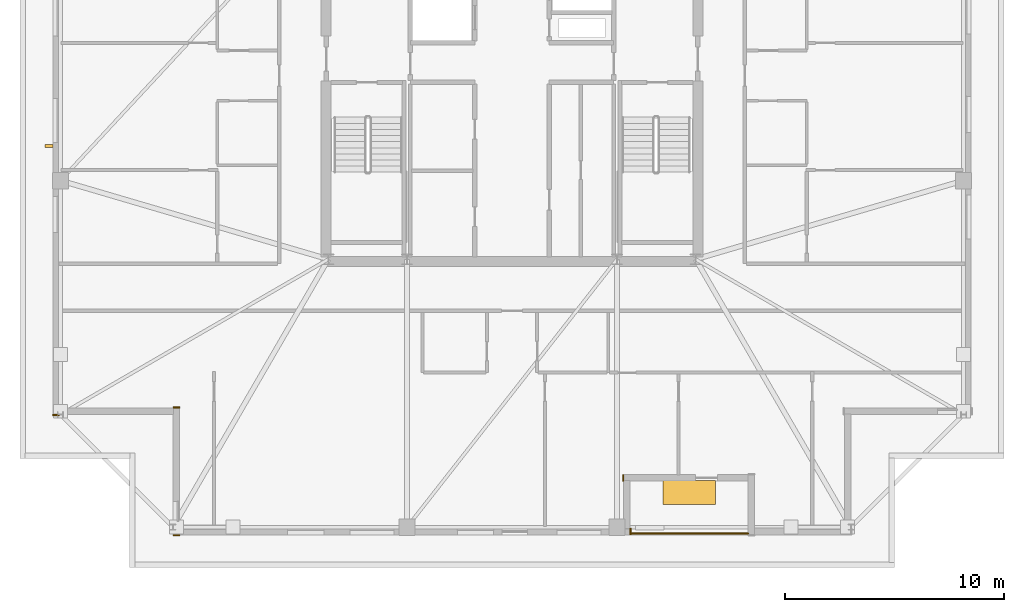
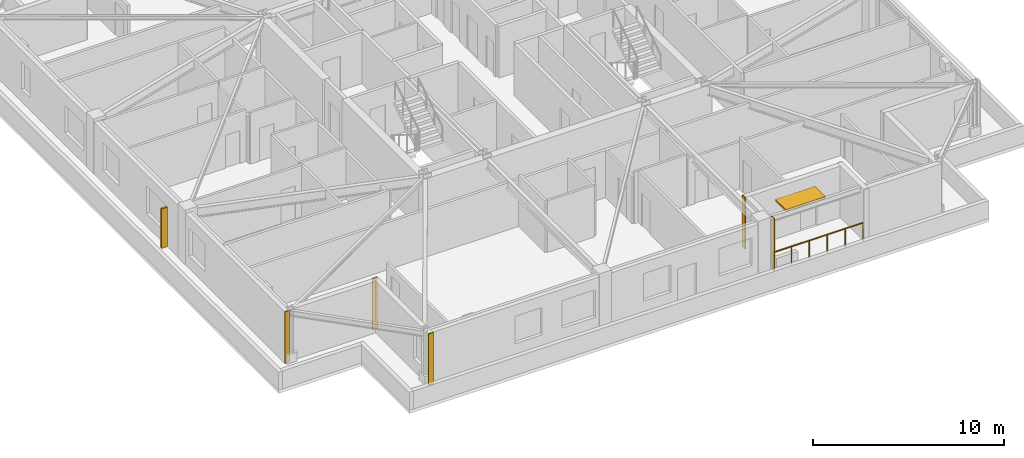
# One storey, part 12 of 15: 5 coverings, 2 shading devices, 1 railing.
"""IFC4 building model written with IfcOpenShell, lengths in metres."""

from ifc_helpers import new_model, si_unit, direction, frame, frame_2d, origin, origin_2d, place, context, subcontext, project, spatial, rectangle, circle, extrude, material, layer, layer_set, type_object, element, save


model = new_model("IFC4")

# Units and contexts
model_context = context("Model", 3, precision=1e-05, world=origin(), true_north=direction((0.0, 1.0)))
body_context = subcontext(model_context, "Body", "Model", "MODEL_VIEW")
ifc_project = project(units=[si_unit("LENGTHUNIT", "METRE"), si_unit("AREAUNIT", "SQUARE_METRE"), si_unit("VOLUMEUNIT", "CUBIC_METRE"), si_unit("PLANEANGLEUNIT", "RADIAN"), si_unit("MASSUNIT", "GRAM", prefix="KILO")], contexts=[model_context])

# Site, building, storey
site_placement = place(None, origin())
site = spatial("IfcSite", under=ifc_project, at=site_placement, CompositionType="ELEMENT")
building_placement = place(site_placement, origin())
building = spatial("IfcBuilding", under=site, at=building_placement, Name="Cairnveth Concourse Tower", CompositionType="ELEMENT")
storey_placement = place(building_placement, frame((0.0, 0.0, 280.5)))
storey = spatial("IfcBuildingStorey", under=building, at=storey_placement, Name="L77", CompositionType="ELEMENT", Elevation=280.5)

# Coverings
ifc_material_1 = material(Name="Dressed Melbourne Bluestone Cladding", Category="masonry")
ifc_layer = layer(ifc_material_1, 0.050048828125)
ifc_layer_set = layer_set([ifc_layer], Name="Dressed Melbourne Bluestone Cladding")
covering_type = type_object("IfcCoveringType", Name="DRESSED BLUESTONE PLINTH CLADDING 50", PredefinedType="CLADDING", material=ifc_layer_set)
for number, where, z_axis, x_axis, name in (
    (1, (57.419921875, 18.300048828125, 0.0), (0.0, 0.0, 1.0), (0.0, -1.0, 0.0), "Melbourne Bluestone Corner Quoin L77-1163"),
    (2, (36.800048828125, 17.97998046875, 0.0), (0.0, 0.0, 1.0), (-1.0, 0.0, 0.0), "Melbourne Bluestone Corner Quoin L77-1164"),
    (3, (36.800048828125, 23.820068359375, 0.0), (0.0, 0.0, 1.0), (-1.0, 0.0, 0.0), "Melbourne Bluestone Corner Quoin L77-1165"),
    (4, (31.300048828125, 23.47998046875, 0.0), (0.0, 0.0, 1.0), (-1.0, 0.0, 0.0), "Melbourne Bluestone Corner Quoin L77-1166"),
    (5, (57.080078125, 20.75, 0.0), (0.0, 0.0, 1.0), (0.0, -1.0, 0.0), "Melbourne Bluestone Corner Quoin L77-1178"),
):
    element("IfcCovering", number, at=place(storey_placement, frame(where, z_axis=z_axis, x_axis=x_axis)), inside=storey, type_object=covering_type, Name=name, PredefinedType="CLADDING", context=body_context, shape_type="SweptSolid", body=[
        extrude(rectangle(XDim=0.300048828125, YDim=0.050048828125, at=frame_2d((0.14990234375, 0.0))), origin(), (0.0, 0.0, 1.0), 3.2900390625),
    ])

# Shading devices
ifc_material_2 = material(Name="Architectural Bronze Anodised Aluminium 6063-T6", Category="aluminium")
shading_device_type_1 = type_object("IfcShadingDeviceType", Name="GOTHIC BRONZE VERTICAL LANCET FIN", PredefinedType="USERDEFINED", material=ifc_material_2)
shading_device_1_placement = place(storey_placement, frame((30.824951171875, 35.782470703125, 0.030029296875), z_axis=(0.0, 0.0, 1.0), x_axis=(0.0, 1.0, 0.0)))
element("IfcShadingDevice", 6, at=shading_device_1_placement, inside=storey, type_object=shading_device_type_1, Name="Gothic Bronze Vertical Fin L77-3-3", ObjectType="VERTICAL FIN", PredefinedType="USERDEFINED", context=body_context, shape_type="SweptSolid", body=[
    extrude(rectangle(XDim=0.1201171875, YDim=0.360107421875, at=origin_2d()), origin(), (0.0, 0.0, 1.0), 2.51806640625),
])
shading_device_type_2 = type_object("IfcShadingDeviceType", Name="SPIRAL TERRACE SUNSHADE CANOPY", PredefinedType="USERDEFINED", material=ifc_material_2)
shading_device_2_placement = place(storey_placement, frame((60.10009765625, 19.929931640625, 2.39794921875), z_axis=(0.0, 0.0, 1.0), x_axis=(1.0, 0.0, 0.0)))
element("IfcShadingDevice", 7, at=shading_device_2_placement, inside=storey, type_object=shading_device_type_2, Name="Spiral Terrace Sunshade L77", ObjectType="TERRACE SUNSHADE", PredefinedType="USERDEFINED", context=body_context, shape_type="SweptSolid", body=[
    extrude(rectangle(XDim=2.39990234375, YDim=1.10009765625, at=origin_2d()), origin(), (0.0, 0.0, 1.0), 0.1201171875),
])

# Railing
railing_type = type_object("IfcRailingType", Name="TERRACE BRONZE BALUSTRADE 1150", PredefinedType="BALUSTRADE", material=ifc_material_2)
railing_placement = place(storey_placement, frame((57.39990234375, 18.06005859375, 0.0)))
element("IfcRailing", 8, at=railing_placement, inside=storey, type_object=railing_type, Name="Terrace Balustrade RL-L77-TERR", PredefinedType="BALUSTRADE", context=body_context, shape_type="SweptSolid", body=[
    extrude(circle(Radius=0.02490234375, at=origin_2d()), frame((0.0, 0.0, 1.125), z_axis=(1.0, 0.0, 0.0), x_axis=(0.0, 1.0, 0.0)), (0.0, 0.0, 1.0), 5.400146484375),
    extrude(circle(Radius=0.02099609375, at=origin_2d()), origin(), (0.0, 0.0, 1.0), 1.099853515625),
    extrude(circle(Radius=0.02099609375, at=origin_2d()), frame((1.080078125, 0.0, 0.0)), (0.0, 0.0, 1.0), 1.099853515625),
    extrude(circle(Radius=0.02099609375, at=origin_2d()), frame((2.16015625, 0.0, 0.0)), (0.0, 0.0, 1.0), 1.099853515625),
    extrude(circle(Radius=0.02099609375, at=origin_2d()), frame((3.239990234375, 0.0, 0.0)), (0.0, 0.0, 1.0), 1.099853515625),
    extrude(circle(Radius=0.02099609375, at=origin_2d()), frame((4.320068359375, 0.0, 0.0)), (0.0, 0.0, 1.0), 1.099853515625),
    extrude(circle(Radius=0.02099609375, at=origin_2d()), frame((5.400146484375, 0.0, 0.0)), (0.0, 0.0, 1.0), 1.099853515625),
])

save(model, "model.ifc")
